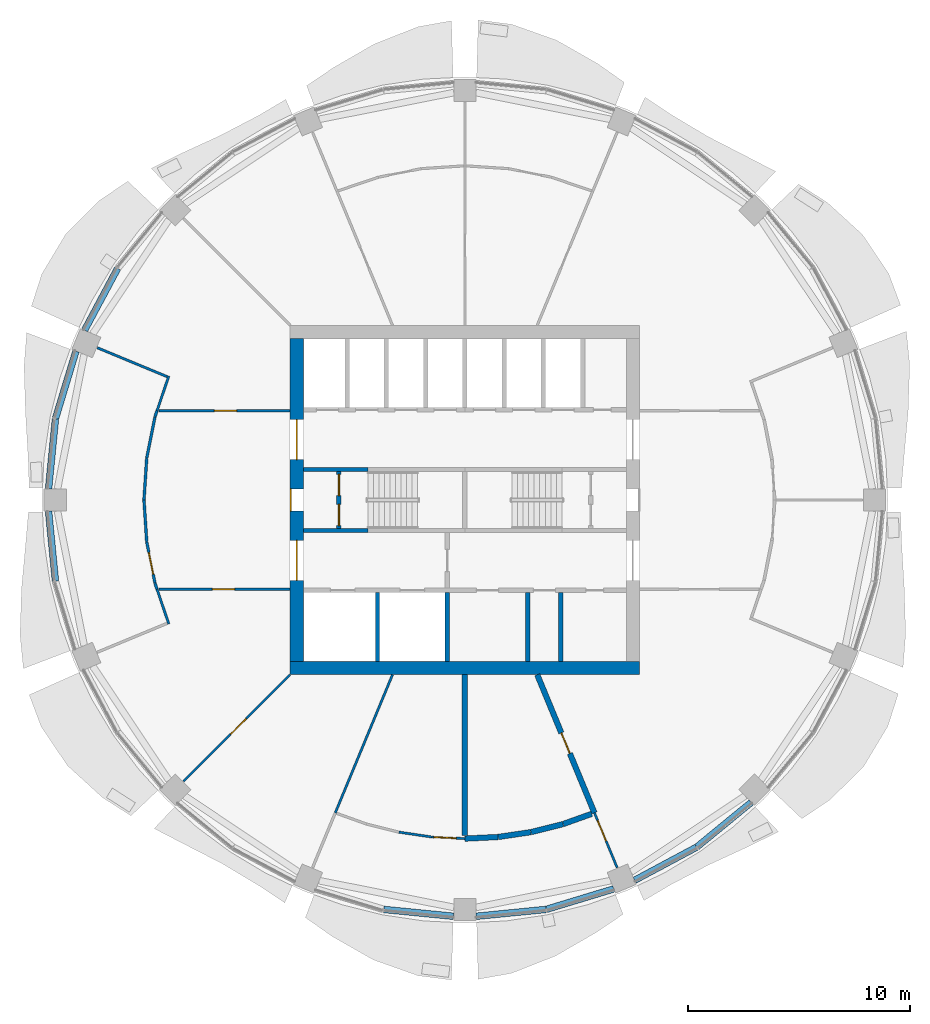
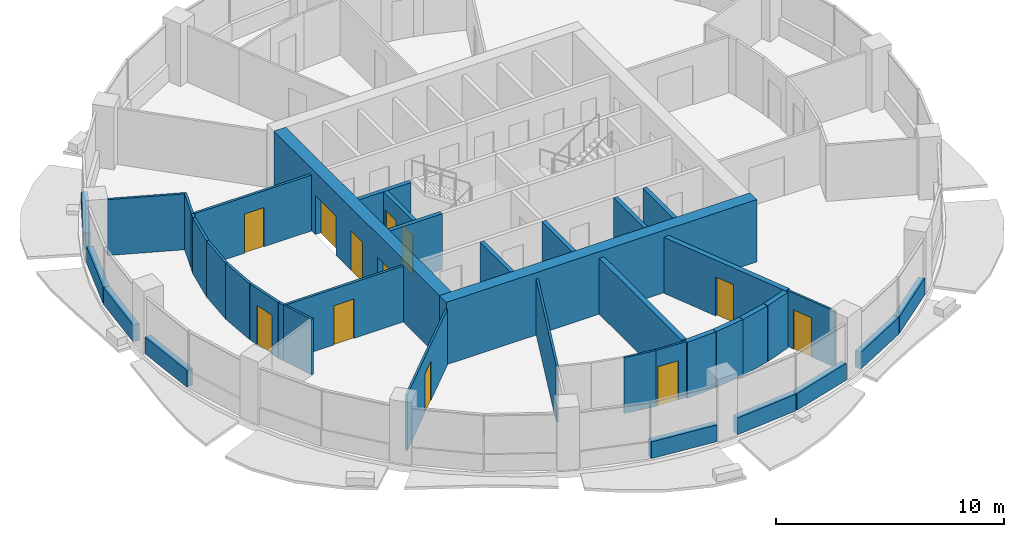
# One storey, part 8 of 15: 40 walls, 12 doors, 12 openings.
"""IFC4 building model written with IfcOpenShell, lengths in metres."""

from ifc_helpers import new_model, si_unit, direction, frame, frame_2d, origin, place, context, subcontext, project, spatial, rectangle, extrude, material, layer, layer_set, type_object, element, fill, save


model = new_model("IFC4")

# Units and contexts
model_context = context("Model", 3, precision=1e-05, world=origin(), true_north=direction((0.0, 1.0)))
body_context = subcontext(model_context, "Body", "Model", "MODEL_VIEW")
ifc_project = project(units=[si_unit("LENGTHUNIT", "METRE"), si_unit("AREAUNIT", "SQUARE_METRE"), si_unit("VOLUMEUNIT", "CUBIC_METRE"), si_unit("PLANEANGLEUNIT", "RADIAN"), si_unit("MASSUNIT", "GRAM", prefix="KILO")], contexts=[model_context])

# Site, building, storey
site_placement = place(None, origin())
site = spatial("IfcSite", under=ifc_project, at=site_placement, CompositionType="ELEMENT")
building_placement = place(site_placement, origin())
building = spatial("IfcBuilding", under=site, at=building_placement, Name="Polderwave Tower", CompositionType="ELEMENT")
storey_placement = place(building_placement, frame((0.0, 0.0, 120.949951171875)))
storey = spatial("IfcBuildingStorey", under=building, at=storey_placement, Name="L31", CompositionType="ELEMENT", Elevation=120.949951171875)

# Wall
ifc_material_1 = material(Name="Concrete C60/75", Category="concrete")
ifc_layer_1 = layer(ifc_material_1, 0.60009765625)
ifc_layer_set_1 = layer_set([ifc_layer_1], Name="CORE WALL 600 C60/75")
wall_type_1 = type_object("IfcWallType", Name="CORE WALL 600 C60/75", PredefinedType="SHEAR", material=ifc_layer_set_1)
wall_1_placement = place(storey_placement, frame((-7.8740234375, -7.573974609375, 0.0), z_axis=(0.0, 0.0, 1.0), x_axis=(1.0, 0.0, 0.0)))
element("IfcWall", 1, at=wall_1_placement, inside=storey, type_object=wall_type_1, Name="ST-CORE-L31-S", PredefinedType="SHEAR", context=body_context, shape_type="SweptSolid", body=[
    extrude(rectangle(XDim=15.748046875, YDim=0.60009765625, at=frame_2d((7.8740234375, 0.0))), origin(), (0.0, 0.0, 1.0), 3.35009765625),
])

# Wall, openings, doors
wall_2_placement = place(storey_placement, frame((-7.573974609375, -7.27392578125, 0.0), z_axis=(0.0, 0.0, 1.0), x_axis=(0.0, 1.0, 0.0)))
wall_2 = element("IfcWall", 2, at=wall_2_placement, inside=storey, type_object=wall_type_1, Name="ST-CORE-L31-W", PredefinedType="SHEAR", context=body_context, shape_type="SweptSolid", body=[
    extrude(rectangle(XDim=14.5478515625, YDim=0.60009765625, at=frame_2d((7.27392578125, 0.0))), origin(), (0.0, 0.0, 1.0), 3.35009765625),
])
opening_1_placement = place(wall_2_placement, frame((6.77392578125, 0.0, 0.0)))
opening_1 = element("IfcOpeningElement", 3, at=opening_1_placement, cuts=wall_2, Name="Opening L31-D19", PredefinedType="OPENING", context=body_context, shape_type="SweptSolid", body=[
    extrude(rectangle(XDim=1.0, YDim=2.10009765625, at=frame_2d((0.5, 1.050048828125))), frame((0.0, 0.31005859375, 0.0), z_axis=(0.0, -1.0, 0.0), x_axis=(1.0, 0.0, 0.0)), (0.0, 0.0, 1.0), 0.6201171875),
])
opening_2_placement = place(wall_2_placement, frame((3.6494140625, 0.0, 0.0)))
opening_2 = element("IfcOpeningElement", 4, at=opening_2_placement, cuts=wall_2, Name="Opening L31-D20", PredefinedType="OPENING", context=body_context, shape_type="SweptSolid", body=[
    extrude(rectangle(XDim=1.800048828125, YDim=2.10009765625, at=frame_2d((0.89990234375, 1.050048828125))), frame((0.0, 0.31005859375, 0.0), z_axis=(0.0, -1.0, 0.0), x_axis=(1.0, 0.0, 0.0)), (0.0, 0.0, 1.0), 0.6201171875),
])
opening_3_placement = place(wall_2_placement, frame((9.098388671875, 0.0, 0.0)))
opening_3 = element("IfcOpeningElement", 5, at=opening_3_placement, cuts=wall_2, Name="Opening L31-D21", PredefinedType="OPENING", context=body_context, shape_type="SweptSolid", body=[
    extrude(rectangle(XDim=1.800048828125, YDim=2.10009765625, at=frame_2d((0.89990234375, 1.050048828125))), frame((0.0, 0.31005859375, 0.0), z_axis=(0.0, -1.0, 0.0), x_axis=(1.0, 0.0, 0.0)), (0.0, 0.0, 1.0), 0.6201171875),
])
ifc_material_2 = material(Name="Steel fire door", Category="steel")
door_type_1 = type_object("IfcDoorType", Name="Lobby entry door pair 1800", OperationType="DOUBLE_DOOR_SINGLE_SWING", PredefinedType="DOOR", material=ifc_material_2)
door_1_placement = place(opening_2_placement, origin())
door_1 = element("IfcDoor", 6, at=door_1_placement, inside=storey, type_object=door_type_1, Name="Fire-fighting lobby entry door", OperationType="DOUBLE_DOOR_SINGLE_SWING", OverallHeight=2.10009765625, OverallWidth=1.800048828125, PredefinedType="DOOR", context=body_context, shape_type="SweptSolid", body=[
    extrude(rectangle(XDim=1.800048828125, YDim=2.10009765625, at=frame_2d((0.89990234375, 1.050048828125))), frame((0.0, 0.02490234375, 0.0), z_axis=(0.0, -1.0, 0.0), x_axis=(1.0, 0.0, 0.0)), (0.0, 0.0, 1.0), 0.050048828125),
])
fill(opening_2, door_1)
door_2_placement = place(opening_3_placement, origin())
door_2 = element("IfcDoor", 7, at=door_2_placement, inside=storey, type_object=door_type_1, Name="North lobby entry door", OperationType="DOUBLE_DOOR_SINGLE_SWING", OverallHeight=2.10009765625, OverallWidth=1.800048828125, PredefinedType="DOOR", context=body_context, shape_type="SweptSolid", body=[
    extrude(rectangle(XDim=1.800048828125, YDim=2.10009765625, at=frame_2d((0.89990234375, 1.050048828125))), frame((0.0, 0.02490234375, 0.0), z_axis=(0.0, -1.0, 0.0), x_axis=(1.0, 0.0, 0.0)), (0.0, 0.0, 1.0), 0.050048828125),
])
fill(opening_3, door_2)
door_type_2 = type_object("IfcDoorType", Name="Stair door 1000", OperationType="NOTDEFINED", PredefinedType="DOOR", material=ifc_material_2)
door_3_placement = place(opening_1_placement, origin())
door_3 = element("IfcDoor", 8, at=door_3_placement, inside=storey, type_object=door_type_2, Name="Stair A entry door", OperationType="SINGLE_SWING_RIGHT", OverallHeight=2.10009765625, OverallWidth=1.0, PredefinedType="DOOR", context=body_context, shape_type="SweptSolid", body=[
    extrude(rectangle(XDim=1.0, YDim=2.10009765625, at=frame_2d((0.5, 1.050048828125))), frame((0.0, 0.2998046875, 0.0), z_axis=(0.0, -1.0, 0.0), x_axis=(1.0, 0.0, 0.0)), (0.0, 0.0, 1.0), 0.050048828125),
])
fill(opening_1, door_3)

# Walls
ifc_material_3 = material(Name="Concrete C50/60 (board-marked)", Category="concrete")
ifc_layer_2 = layer(ifc_material_3, 0.300048828125)
ifc_layer_set_2 = layer_set([ifc_layer_2], Name="Concrete spandrel upstand C50/60")
wall_type_2 = type_object("IfcWallType", Name="Concrete spandrel upstand C50/60", PredefinedType="SOLIDWALL", material=ifc_layer_set_2)
wall_3_placement = place(storey_placement, frame((-15.647216796875, 10.436767578125, 0.0), z_axis=(0.0, 0.0, 1.0), x_axis=(-0.471527722113, -0.881851238747, 0.0)))
element("IfcWall", 9, at=wall_3_placement, inside=storey, type_object=wall_type_2, Name="Spandrel L31 7b", PredefinedType="SOLIDWALL", context=body_context, shape_type="SweptSolid", body=[
    extrude(rectangle(XDim=3.1552734375, YDim=0.300048828125, at=frame_2d((1.57763671875, 0.0))), origin(), (0.0, 0.0, 1.0), 0.900146484375),
])
wall_4_placement = place(storey_placement, frame((-17.52734375, 6.70458984375, 0.0), z_axis=(0.0, 0.0, 1.0), x_axis=(-0.290503096001, -0.956874051907, 0.0)))
element("IfcWall", 10, at=wall_4_placement, inside=storey, type_object=wall_type_2, Name="Spandrel L31 8a", PredefinedType="SOLIDWALL", context=body_context, shape_type="SweptSolid", body=[
    extrude(rectangle(XDim=3.157470703125, YDim=0.300048828125, at=frame_2d((1.57861328125, 0.0))), origin(), (0.0, 0.0, 1.0), 0.900146484375),
])
for number, where, z_axis, x_axis, name in (
    (11, (-18.450439453125, 3.654052734375, 0.0), (0.0, 0.0, 1.0), (-0.097956108817, -0.995190735862, 0.0), "Spandrel L31 8b"),
    (12, (-18.759521484375, -0.513916015625, 0.0), (0.0, 0.0, 1.0), (0.097956108817, -0.995190735862, 0.0), "Spandrel L31 9a"),
    (13, (-3.654052734375, -18.450439453125, 0.0), (0.0, 0.0, 1.0), (0.995190735862, -0.097956108817, 0.0), "Spandrel L31 12b"),
    (14, (0.513916015625, -18.759521484375, 0.0), (0.0, 0.0, 1.0), (0.995190735862, 0.097956108817, 0.0), "Spandrel L31 13a"),
):
    element("IfcWall", number, at=place(storey_placement, frame(where, z_axis=z_axis, x_axis=x_axis)), inside=storey, type_object=wall_type_2, Name=name, PredefinedType="SOLIDWALL", context=body_context, shape_type="SweptSolid", body=[
        extrude(rectangle(XDim=3.1552734375, YDim=0.300048828125, at=frame_2d((1.57763671875, 0.0))), origin(), (0.0, 0.0, 1.0), 0.900146484375),
    ])
wall_5_placement = place(storey_placement, frame((3.683349609375, -18.444580078125, 0.0), z_axis=(0.0, 0.0, 1.0), x_axis=(0.956874051907, 0.290503096001, 0.0)))
element("IfcWall", 15, at=wall_5_placement, inside=storey, type_object=wall_type_2, Name="Spandrel L31 13b", PredefinedType="SOLIDWALL", context=body_context, shape_type="SweptSolid", body=[
    extrude(rectangle(XDim=3.157470703125, YDim=0.300048828125, at=frame_2d((1.57861328125, 0.0))), origin(), (0.0, 0.0, 1.0), 0.900146484375),
])
wall_6_placement = place(storey_placement, frame((7.654296875, -17.135009765625, 0.0), z_axis=(0.0, 0.0, 1.0), x_axis=(0.881851238747, 0.471527722113, 0.0)))
element("IfcWall", 16, at=wall_6_placement, inside=storey, type_object=wall_type_2, Name="Spandrel L31 14a", PredefinedType="SOLIDWALL", context=body_context, shape_type="SweptSolid", body=[
    extrude(rectangle(XDim=3.1552734375, YDim=0.300048828125, at=frame_2d((1.57763671875, 0.0))), origin(), (0.0, 0.0, 1.0), 0.900146484375),
])
wall_7_placement = place(storey_placement, frame((10.461669921875, -15.630615234375, 0.0), z_axis=(0.0, 0.0, 1.0), x_axis=(0.773136573193, 0.634239575548, 0.0)))
element("IfcWall", 17, at=wall_7_placement, inside=storey, type_object=wall_type_2, Name="Spandrel L31 14b", PredefinedType="SOLIDWALL", context=body_context, shape_type="SweptSolid", body=[
    extrude(rectangle(XDim=3.15673828125, YDim=0.300048828125, at=frame_2d((1.578369140625, 0.0))), origin(), (0.0, 0.0, 1.0), 0.900146484375),
])
ifc_material_4 = material(Name="Gypsum board partition")
ifc_layer_3 = layer(ifc_material_4, 0.199951171875)
ifc_layer_set_3 = layer_set([ifc_layer_3], Name="Core room partition 200")
wall_type_3 = type_object("IfcWallType", Name="Core room partition 200", PredefinedType="PARTITIONING", material=ifc_layer_set_3)
for number, where, z_axis, x_axis, name in (
    (18, (2.8427734375, -7.27392578125, 0.0), (0.0, 0.0, 1.0), (0.0, 1.0, 0.0), "L31 room partition S1"),
    (19, (4.321533203125, -7.27392578125, 0.0), (0.0, 0.0, 1.0), (0.0, 1.0, 0.0), "L31 room partition S2"),
):
    element("IfcWall", number, at=place(storey_placement, frame(where, z_axis=z_axis, x_axis=x_axis)), inside=storey, type_object=wall_type_3, Name=name, PredefinedType="PARTITIONING", context=body_context, shape_type="SweptSolid", body=[
        extrude(rectangle(XDim=3.099853515625, YDim=0.199951171875, at=frame_2d((1.5498046875, 0.0))), origin(), (0.0, 0.0, 1.0), 3.0),
    ])

# Wall, openings, doors
wall_8_placement = place(storey_placement, frame((-5.674072265625, -1.27490234375, 0.0), z_axis=(0.0, 0.0, 1.0), x_axis=(0.0, 1.0, 0.0)))
wall_8 = element("IfcWall", 20, at=wall_8_placement, inside=storey, type_object=wall_type_3, Name="L31 smoke lobby wall A", PredefinedType="PARTITIONING", context=body_context, shape_type="SweptSolid", body=[
    extrude(rectangle(XDim=2.5498046875, YDim=0.199951171875, at=frame_2d((1.27490234375, 0.0))), origin(), (0.0, 0.0, 1.0), 3.0),
])
opening_4_placement = place(wall_8_placement, frame((0.125, 0.0, 0.0)))
opening_4 = element("IfcOpeningElement", 21, at=opening_4_placement, cuts=wall_8, Name="Opening L31-D10", PredefinedType="OPENING", context=body_context, shape_type="SweptSolid", body=[
    extrude(rectangle(XDim=0.949951171875, YDim=2.10009765625, at=frame_2d((0.47509765625, 1.050048828125))), frame((0.0, 0.10986328125, 0.0), z_axis=(0.0, -1.0, 0.0), x_axis=(1.0, 0.0, 0.0)), (0.0, 0.0, 1.0), 0.219970703125),
])
opening_5_placement = place(wall_8_placement, frame((1.47509765625, 0.0, 0.0)))
opening_5 = element("IfcOpeningElement", 22, at=opening_5_placement, cuts=wall_8, Name="Opening L31-D11", PredefinedType="OPENING", context=body_context, shape_type="SweptSolid", body=[
    extrude(rectangle(XDim=0.949951171875, YDim=2.10009765625, at=frame_2d((0.47509765625, 1.050048828125))), frame((0.0, 0.10986328125, 0.0), z_axis=(0.0, -1.0, 0.0), x_axis=(1.0, 0.0, 0.0)), (0.0, 0.0, 1.0), 0.219970703125),
])
door_type_3 = type_object("IfcDoorType", Name="Smoke lobby door 950", OperationType="NOTDEFINED", PredefinedType="DOOR", material=ifc_material_2)
door_4_placement = place(opening_4_placement, origin())
door_4 = element("IfcDoor", 23, at=door_4_placement, inside=storey, type_object=door_type_3, Name="Stair A smoke lobby inner door", OperationType="SINGLE_SWING_LEFT", OverallHeight=2.10009765625, OverallWidth=0.949951171875, PredefinedType="DOOR", context=body_context, shape_type="SweptSolid", body=[
    extrude(rectangle(XDim=0.949951171875, YDim=2.10009765625, at=frame_2d((0.47509765625, 1.050048828125))), frame((0.0, 0.02490234375, 0.0), z_axis=(0.0, -1.0, 0.0), x_axis=(1.0, 0.0, 0.0)), (0.0, 0.0, 1.0), 0.050048828125),
])
fill(opening_4, door_4)
door_5_placement = place(opening_5_placement, origin())
door_5 = element("IfcDoor", 24, at=door_5_placement, inside=storey, type_object=door_type_3, Name="Stair A smoke lobby inner door", OperationType="SINGLE_SWING_RIGHT", OverallHeight=2.10009765625, OverallWidth=0.949951171875, PredefinedType="DOOR", context=body_context, shape_type="SweptSolid", body=[
    extrude(rectangle(XDim=0.949951171875, YDim=2.10009765625, at=frame_2d((0.47509765625, 1.050048828125))), frame((0.0, 0.02490234375, 0.0), z_axis=(0.0, -1.0, 0.0), x_axis=(1.0, 0.0, 0.0)), (0.0, 0.0, 1.0), 0.050048828125),
])
fill(opening_5, door_5)

# Walls
ifc_material_5 = material(Name="Concrete C50/60", Category="concrete")
ifc_layer_4 = layer(ifc_material_5, 0.199951171875)
ifc_layer_set_4 = layer_set([ifc_layer_4], Name="Core web wall 200")
wall_type_4 = type_object("IfcWallType", Name="Core web wall 200", PredefinedType="SHEAR", material=ifc_layer_set_4)
for number, where, z_axis, x_axis, name in (
    (25, (-7.27392578125, -1.375, 0.0), (0.0, 0.0, 1.0), (1.0, 0.0, 0.0), "L31 south stair wall 1"),
    (26, (-7.27392578125, 1.375, 0.0), (0.0, 0.0, 1.0), (1.0, 0.0, 0.0), "L31 north stair wall 1"),
):
    element("IfcWall", number, at=place(storey_placement, frame(where, z_axis=z_axis, x_axis=x_axis)), inside=storey, type_object=wall_type_4, Name=name, PredefinedType="SHEAR", context=body_context, shape_type="SweptSolid", body=[
        extrude(rectangle(XDim=2.89990234375, YDim=0.199951171875, at=frame_2d((1.449951171875, 0.0))), origin(), (0.0, 0.0, 1.0), 3.0),
    ])

# Wall, opening, door
ifc_material_6 = material(Name="Fire-resisting board on steel studs", Category="steel")
ifc_layer_5 = layer(ifc_material_6, 0.125)
ifc_layer_set_5 = layer_set([ifc_layer_5], Name="Corridor wall 125 mm EI 60")
wall_type_5 = type_object("IfcWallType", Name="Corridor wall 125 mm EI 60", PredefinedType="PARTITIONING", material=ifc_layer_set_5)
wall_9_placement = place(storey_placement, frame((-13.784423828125, 4.0244140625, 0.0), z_axis=(0.0, 0.0, 1.0), x_axis=(1.0, 0.0, 0.0)))
wall_9 = element("IfcWall", 27, at=wall_9_placement, inside=storey, type_object=wall_type_5, Name="IN-L31-W009", PredefinedType="PARTITIONING", context=body_context, shape_type="SweptSolid", body=[
    extrude(rectangle(XDim=5.910400390625, YDim=0.125, at=frame_2d((2.955078125, 0.0))), origin(), (0.0, 0.0, 1.0), 3.0),
])
opening_6_placement = place(wall_9_placement, frame((2.5, 0.0, 0.0)))
opening_6 = element("IfcOpeningElement", 28, at=opening_6_placement, cuts=wall_9, Name="Opening L31-D54", PredefinedType="OPENING", context=body_context, shape_type="SweptSolid", body=[
    extrude(rectangle(XDim=1.0, YDim=2.10009765625, at=frame_2d((0.5, 1.050048828125))), frame((0.0, 0.072509765625, 0.0), z_axis=(0.0, -1.0, 0.0), x_axis=(1.0, 0.0, 0.0)), (0.0, 0.0, 1.0), 0.14501953125),
])
ifc_material_7 = material(Name="Timber fire door leaf", Category="wood")
door_type_4 = type_object("IfcDoorType", Name="Fire door FD30S 1000 x 2100", OperationType="NOTDEFINED", PredefinedType="DOOR", material=ifc_material_7)
door_6_placement = place(opening_6_placement, origin())
door_6 = element("IfcDoor", 29, at=door_6_placement, inside=storey, type_object=door_type_4, Name="Door L31-D54", OperationType="SINGLE_SWING_RIGHT", OverallHeight=2.10009765625, OverallWidth=1.0, PredefinedType="DOOR", context=body_context, shape_type="SweptSolid", body=[
    extrude(rectangle(XDim=1.0, YDim=2.10009765625, at=frame_2d((0.5, 1.050048828125))), frame((0.0, 0.02490234375, 0.0), z_axis=(0.0, -1.0, 0.0), x_axis=(1.0, 0.0, 0.0)), (0.0, 0.0, 1.0), 0.050048828125),
])
fill(opening_6, door_6)

# Walls
for number, where, z_axis, x_axis, name in (
    (30, (-14.459716796875, 0.004150390625, 0.0), (0.0, 0.0, 1.0), (0.065340129587, 0.997863050456, 0.0), "IN-L31-W010"),
    (31, (-14.336669921875, -1.88330078125, 0.0), (0.0, 0.0, 1.0), (-0.065340129587, 0.997863050456, 0.0), "IN-L31-W011"),
):
    element("IfcWall", number, at=place(storey_placement, frame(where, z_axis=z_axis, x_axis=x_axis)), inside=storey, type_object=wall_type_5, Name=name, PredefinedType="PARTITIONING", context=body_context, shape_type="SweptSolid", body=[
        extrude(rectangle(XDim=1.883056640625, YDim=0.125, at=frame_2d((0.94140625, 0.0))), origin(), (0.0, 0.0, 1.0), 3.0),
    ])
wall_10_placement = place(storey_placement, frame((-14.33544921875, 1.891357421875, 0.0), z_axis=(0.0, 0.0, 1.0), x_axis=(0.195093941763, 0.980784560384, 0.0)))
element("IfcWall", 32, at=wall_10_placement, inside=storey, type_object=wall_type_5, Name="IN-L31-W012", PredefinedType="PARTITIONING", context=body_context, shape_type="SweptSolid", body=[
    extrude(rectangle(XDim=1.88330078125, YDim=0.125, at=frame_2d((0.941650390625, 0.0))), origin(), (0.0, 0.0, 1.0), 3.0),
])

# Wall, opening, door
wall_11_placement = place(storey_placement, frame((-13.968017578125, -3.738525390625, 0.0), z_axis=(0.0, 0.0, 1.0), x_axis=(-0.195093941763, 0.980784560384, 0.0)))
wall_11 = element("IfcWall", 33, at=wall_11_placement, inside=storey, type_object=wall_type_5, Name="IN-L31-W013", PredefinedType="PARTITIONING", context=body_context, shape_type="SweptSolid", body=[
    extrude(rectangle(XDim=1.88330078125, YDim=0.125, at=frame_2d((0.941650390625, 0.0))), origin(), (0.0, 0.0, 1.0), 3.0),
])
opening_7_placement = place(wall_11_placement, frame((0.39990234375, 0.0, 0.0)))
opening_7 = element("IfcOpeningElement", 34, at=opening_7_placement, cuts=wall_11, Name="Opening L31-D55", PredefinedType="OPENING", context=body_context, shape_type="SweptSolid", body=[
    extrude(rectangle(XDim=1.0, YDim=2.10009765625, at=frame_2d((0.5, 1.050048828125))), frame((0.0, 0.072509765625, 0.0), z_axis=(0.0, -1.0, 0.0), x_axis=(1.0, 0.0, 0.0)), (0.0, 0.0, 1.0), 0.14501953125),
])
door_7_placement = place(opening_7_placement, origin())
door_7 = element("IfcDoor", 35, at=door_7_placement, inside=storey, type_object=door_type_4, Name="Door L31-D55", OperationType="SINGLE_SWING_LEFT", OverallHeight=2.10009765625, OverallWidth=1.0, PredefinedType="DOOR", context=body_context, shape_type="SweptSolid", body=[
    extrude(rectangle(XDim=1.0, YDim=2.10009765625, at=frame_2d((0.5, 1.050048828125))), frame((0.0, 0.02490234375, 0.0), z_axis=(0.0, -1.0, 0.0), x_axis=(1.0, 0.0, 0.0)), (0.0, 0.0, 1.0), 0.050048828125),
])
fill(opening_7, door_7)

# Walls
for number, where, z_axis, x_axis, name in (
    (36, (-13.966064453125, 3.746337890625, 0.0), (0.0, 0.0, 1.0), (0.321708987491, 0.94683859626, 0.0), "IN-L31-W014"),
    (37, (-13.87158203125, -4.0244140625, 0.0), (0.0, 0.0, 1.0), (-0.321708987491, 0.94683859626, 0.0), "IN-L31-W015"),
):
    element("IfcWall", number, at=place(storey_placement, frame(where, z_axis=z_axis, x_axis=x_axis)), inside=storey, type_object=wall_type_5, Name=name, PredefinedType="PARTITIONING", context=body_context, shape_type="SweptSolid", body=[
        extrude(rectangle(XDim=0.293701171875, YDim=0.125, at=frame_2d((0.14697265625, 0.0))), origin(), (0.0, 0.0, 1.0), 3.0),
    ])

# Wall, opening, door
wall_12_placement = place(storey_placement, frame((-7.8740234375, -4.0244140625, 0.0), z_axis=(0.0, 0.0, 1.0), x_axis=(-1.0, 0.0, 0.0)))
wall_12 = element("IfcWall", 38, at=wall_12_placement, inside=storey, type_object=wall_type_5, Name="IN-L31-W016", PredefinedType="PARTITIONING", context=body_context, shape_type="SweptSolid", body=[
    extrude(rectangle(XDim=5.910400390625, YDim=0.125, at=frame_2d((2.955078125, 0.0))), origin(), (0.0, 0.0, 1.0), 3.0),
])
opening_8_placement = place(wall_12_placement, frame((2.5, 0.0, 0.0)))
opening_8 = element("IfcOpeningElement", 39, at=opening_8_placement, cuts=wall_12, Name="Opening L31-D56", PredefinedType="OPENING", context=body_context, shape_type="SweptSolid", body=[
    extrude(rectangle(XDim=1.0, YDim=2.10009765625, at=frame_2d((0.5, 1.050048828125))), frame((0.0, 0.072509765625, 0.0), z_axis=(0.0, -1.0, 0.0), x_axis=(1.0, 0.0, 0.0)), (0.0, 0.0, 1.0), 0.14501953125),
])
door_8_placement = place(opening_8_placement, origin())
door_8 = element("IfcDoor", 40, at=door_8_placement, inside=storey, type_object=door_type_4, Name="Door L31-D56", OperationType="SINGLE_SWING_RIGHT", OverallHeight=2.10009765625, OverallWidth=1.0, PredefinedType="DOOR", context=body_context, shape_type="SweptSolid", body=[
    extrude(rectangle(XDim=1.0, YDim=2.10009765625, at=frame_2d((0.5, 1.050048828125))), frame((0.0, 0.02490234375, 0.0), z_axis=(0.0, -1.0, 0.0), x_axis=(1.0, 0.0, 0.0)), (0.0, 0.0, 1.0), 0.050048828125),
])
fill(opening_8, door_8)

ifc_material_8 = material(Name="Plasterboard on steel studs", Category="steel")
ifc_layer_6 = layer(ifc_material_8, 0.10009765625)
ifc_layer_set_6 = layer_set([ifc_layer_6], Name="Partition 100 mm plasterboard on steel studs")
wall_type_6 = type_object("IfcWallType", Name="Partition 100 mm plasterboard on steel studs", PredefinedType="PARTITIONING", material=ifc_layer_set_6)
wall_13_placement = place(storey_placement, frame((-7.8740234375, -7.8740234375, 0.0), z_axis=(0.0, 0.0, 1.0), x_axis=(-0.707106781187, -0.707106781187, 0.0)))
wall_13 = element("IfcWall", 41, at=wall_13_placement, inside=storey, type_object=wall_type_6, Name="IN-L31-W037", PredefinedType="PARTITIONING", context=body_context, shape_type="SweptSolid", body=[
    extrude(rectangle(XDim=6.79443359375, YDim=0.10009765625, at=frame_2d((3.397216796875, 0.0))), origin(), (0.0, 0.0, 1.0), 3.0),
])
opening_9_placement = place(wall_13_placement, frame((2.800048828125, 0.0, 0.0)))
opening_9 = element("IfcOpeningElement", 42, at=opening_9_placement, cuts=wall_13, Name="Opening L31-D62", PredefinedType="OPENING", context=body_context, shape_type="SweptSolid", body=[
    extrude(rectangle(XDim=1.0, YDim=2.10009765625, at=frame_2d((0.5, 1.050048828125))), frame((0.0, 0.06005859375, 0.0), z_axis=(0.0, -1.0, 0.0), x_axis=(1.0, 0.0, 0.0)), (0.0, 0.0, 1.0), 0.1201171875),
])
ifc_material_9 = material(Name="Timber veneer door leaf", Category="wood")
door_type_5 = type_object("IfcDoorType", Name="Single door 1000 x 2100", OperationType="NOTDEFINED", PredefinedType="DOOR", material=ifc_material_9)
door_9_placement = place(opening_9_placement, origin())
door_9 = element("IfcDoor", 43, at=door_9_placement, inside=storey, type_object=door_type_5, Name="Door L31-D62", OperationType="SINGLE_SWING_LEFT", OverallHeight=2.10009765625, OverallWidth=1.0, PredefinedType="DOOR", context=body_context, shape_type="SweptSolid", body=[
    extrude(rectangle(XDim=1.0, YDim=2.10009765625, at=frame_2d((0.5, 1.050048828125))), frame((0.0, 0.02490234375, 0.0), z_axis=(0.0, -1.0, 0.0), x_axis=(1.0, 0.0, 0.0)), (0.0, 0.0, 1.0), 0.050048828125),
])
fill(opening_9, door_9)

wall_14_placement = place(storey_placement, frame((6.861572265625, -16.565185546875, 0.0), z_axis=(0.0, 0.0, 1.0), x_axis=(-0.382744787218, 0.923854116112, 0.0)))
wall_14 = element("IfcWall", 44, at=wall_14_placement, inside=storey, type_object=wall_type_6, Name="IN-L31-W049", PredefinedType="PARTITIONING", context=body_context, shape_type="SweptSolid", body=[
    extrude(rectangle(XDim=2.670166015625, YDim=0.10009765625, at=frame_2d((1.3349609375, 0.0))), origin(), (0.0, 0.0, 1.0), 3.0),
])
opening_10_placement = place(wall_14_placement, frame((1.300048828125, 0.0, 0.0)))
opening_10 = element("IfcOpeningElement", 45, at=opening_10_placement, cuts=wall_14, Name="Opening L31-D64", PredefinedType="OPENING", context=body_context, shape_type="SweptSolid", body=[
    extrude(rectangle(XDim=1.0, YDim=2.10009765625, at=frame_2d((0.5, 1.050048828125))), frame((0.0, 0.06005859375, 0.0), z_axis=(0.0, -1.0, 0.0), x_axis=(1.0, 0.0, 0.0)), (0.0, 0.0, 1.0), 0.1201171875),
])
door_10_placement = place(opening_10_placement, origin())
door_10 = element("IfcDoor", 46, at=door_10_placement, inside=storey, type_object=door_type_5, Name="Door L31-D64", OperationType="SINGLE_SWING_RIGHT", OverallHeight=2.10009765625, OverallWidth=1.0, PredefinedType="DOOR", context=body_context, shape_type="SweptSolid", body=[
    extrude(rectangle(XDim=1.0, YDim=2.10009765625, at=frame_2d((0.5, 1.050048828125))), frame((0.0, 0.02490234375, 0.0), z_axis=(0.0, -1.0, 0.0), x_axis=(1.0, 0.0, 0.0)), (0.0, 0.0, 1.0), 0.050048828125),
])
fill(opening_10, door_10)

# Walls
ifc_material_10 = material(Name="Moisture-resistant board on steel studs, tiled", Category="steel")
ifc_layer_7 = layer(ifc_material_10, 0.10498046875)
ifc_layer_set_7 = layer_set([ifc_layer_7], Name="Partition 105 mm wet room board and tile")
wall_type_7 = type_object("IfcWallType", Name="Partition 105 mm wet room board and tile", PredefinedType="PARTITIONING", material=ifc_layer_set_7)
wall_15_placement = place(storey_placement, frame((-3.261474609375, -7.8740234375, 0.0), z_axis=(0.0, 0.0, 1.0), x_axis=(-0.382671840259, -0.923884334034, 0.0)))
element("IfcWall", 47, at=wall_15_placement, inside=storey, type_object=wall_type_7, Name="IN-L31-W038", PredefinedType="PARTITIONING", context=body_context, shape_type="SweptSolid", body=[
    extrude(rectangle(XDim=6.737060546875, YDim=0.10498046875, at=frame_2d((3.36865234375, 0.0))), origin(), (0.0, 0.0, 1.0), 3.0),
])
wall_16_placement = place(storey_placement, frame((-1.498291015625, -15.18603515625, 0.0), z_axis=(0.0, 0.0, 1.0), x_axis=(-0.98919994883, 0.146572375418, 0.0)))
element("IfcWall", 48, at=wall_16_placement, inside=storey, type_object=wall_type_7, Name="IN-L31-W042", PredefinedType="PARTITIONING", context=body_context, shape_type="SweptSolid", body=[
    extrude(rectangle(XDim=1.492431640625, YDim=0.10498046875, at=frame_2d((0.74609375, 0.0))), origin(), (0.0, 0.0, 1.0), 3.0),
])

# Wall, opening, door
wall_17_placement = place(storey_placement, frame((-1.4931640625, -15.1865234375, 0.0), z_axis=(0.0, 0.0, 1.0), x_axis=(0.99879112895, -0.049155678518, 0.0)))
wall_17 = element("IfcWall", 49, at=wall_17_placement, inside=storey, type_object=wall_type_7, Name="IN-L31-W043", PredefinedType="PARTITIONING", context=body_context, shape_type="SweptSolid", body=[
    extrude(rectangle(XDim=1.494873046875, YDim=0.10498046875, at=frame_2d((0.74755859375, 0.0))), origin(), (0.0, 0.0, 1.0), 3.0),
])
opening_11_placement = place(wall_17_placement, frame((0.10009765625, 0.0, 0.0)))
opening_11 = element("IfcOpeningElement", 50, at=opening_11_placement, cuts=wall_17, Name="Opening L31-D63", PredefinedType="OPENING", context=body_context, shape_type="SweptSolid", body=[
    extrude(rectangle(XDim=1.0, YDim=2.10009765625, at=frame_2d((0.5, 1.050048828125))), frame((0.0, 0.0625, 0.0), z_axis=(0.0, -1.0, 0.0), x_axis=(1.0, 0.0, 0.0)), (0.0, 0.0, 1.0), 0.125),
])
door_11_placement = place(opening_11_placement, origin())
door_11 = element("IfcDoor", 51, at=door_11_placement, inside=storey, type_object=door_type_5, Name="Door L31-D63", OperationType="SINGLE_SWING_LEFT", OverallHeight=2.10009765625, OverallWidth=1.0, PredefinedType="DOOR", context=body_context, shape_type="SweptSolid", body=[
    extrude(rectangle(XDim=1.0, YDim=2.10009765625, at=frame_2d((0.5, 1.050048828125))), frame((0.0, 0.02490234375, 0.0), z_axis=(0.0, -1.0, 0.0), x_axis=(1.0, 0.0, 0.0)), (0.0, 0.0, 1.0), 0.050048828125),
])
fill(opening_11, door_11)

# Walls
ifc_material_11 = material(Name="Acoustic double plasterboard on steel studs", Category="steel")
ifc_layer_8 = layer(ifc_material_11, 0.110107421875)
ifc_layer_set_8 = layer_set([ifc_layer_8], Name="Partition 110 mm acoustic double board")
wall_type_8 = type_object("IfcWallType", Name="Partition 110 mm acoustic double board", PredefinedType="PARTITIONING", material=ifc_layer_set_8)
wall_18_placement = place(storey_placement, frame((-13.87158203125, 4.0244140625, 0.0), z_axis=(0.0, 0.0, 1.0), x_axis=(0.321464693968, 0.946921565143, 0.0)))
element("IfcWall", 52, at=wall_18_placement, inside=storey, type_object=wall_type_8, Name="IN-L31-W033", PredefinedType="PARTITIONING", context=body_context, shape_type="SweptSolid", body=[
    extrude(rectangle(XDim=1.648681640625, YDim=0.110107421875, at=frame_2d((0.82421875, 0.0))), origin(), (0.0, 0.0, 1.0), 3.0),
])
wall_19_placement = place(storey_placement, frame((-13.41357421875, 5.55615234375, 0.0), z_axis=(0.0, 0.0, 1.0), x_axis=(-0.923881629558, 0.382678369606, 0.0)))
element("IfcWall", 53, at=wall_19_placement, inside=storey, type_object=wall_type_8, Name="IN-L31-W034", PredefinedType="PARTITIONING", context=body_context, shape_type="SweptSolid", body=[
    extrude(rectangle(XDim=3.411376953125, YDim=0.110107421875, at=frame_2d((1.70556640625, 0.0))), origin(), (0.0, 0.0, 1.0), 3.0),
])
wall_20_placement = place(storey_placement, frame((-13.87158203125, -4.0244140625, 0.0), z_axis=(0.0, 0.0, 1.0), x_axis=(0.321464693968, -0.946921565143, 0.0)))
element("IfcWall", 54, at=wall_20_placement, inside=storey, type_object=wall_type_8, Name="IN-L31-W035", PredefinedType="PARTITIONING", context=body_context, shape_type="SweptSolid", body=[
    extrude(rectangle(XDim=1.648681640625, YDim=0.110107421875, at=frame_2d((0.82421875, 0.0))), origin(), (0.0, 0.0, 1.0), 3.0),
])
ifc_material_12 = material(Name="Fire-resisting board on steel studs, mineral wool", Category="steel")
ifc_layer_9 = layer(ifc_material_12, 0.25)
ifc_layer_set_9 = layer_set([ifc_layer_9], Name="Plant room wall 250 mm EI 120")
wall_type_9 = type_object("IfcWallType", Name="Plant room wall 250 mm EI 120", PredefinedType="PARTITIONING", material=ifc_layer_set_9)
wall_21_placement = place(storey_placement, frame((0.0, -7.8740234375, 0.0), z_axis=(0.0, 0.0, 1.0), x_axis=(0.0, -1.0, 0.0)))
element("IfcWall", 55, at=wall_21_placement, inside=storey, type_object=wall_type_9, Name="IN-L31-W044", PredefinedType="PARTITIONING", context=body_context, shape_type="SweptSolid", body=[
    extrude(rectangle(XDim=7.254638671875, YDim=0.25, at=frame_2d((3.62744140625, 0.0))), origin(), (0.0, 0.0, 1.0), 3.0),
])
wall_22_placement = place(storey_placement, frame((0.0, -15.260009765625, 0.0), z_axis=(0.0, 0.0, 1.0), x_axis=(0.99879323204, 0.049112927325, 0.0)))
element("IfcWall", 56, at=wall_22_placement, inside=storey, type_object=wall_type_9, Name="IN-L31-W045", PredefinedType="PARTITIONING", context=body_context, shape_type="SweptSolid", body=[
    extrude(rectangle(XDim=1.4912109375, YDim=0.25, at=frame_2d((0.74560546875, 0.0))), origin(), (0.0, 0.0, 1.0), 3.0),
])
wall_23_placement = place(storey_placement, frame((1.501708984375, -15.185546875, 0.0), z_axis=(0.0, 0.0, 1.0), x_axis=(0.989192869337, 0.146620146136, 0.0)))
element("IfcWall", 57, at=wall_23_placement, inside=storey, type_object=wall_type_9, Name="IN-L31-W046", PredefinedType="PARTITIONING", context=body_context, shape_type="SweptSolid", body=[
    extrude(rectangle(XDim=1.4853515625, YDim=0.25, at=frame_2d((0.74267578125, 0.0))), origin(), (0.0, 0.0, 1.0), 3.0),
])
wall_24_placement = place(storey_placement, frame((2.983154296875, -14.96533203125, 0.0), z_axis=(0.0, 0.0, 1.0), x_axis=(0.970026334084, 0.24299981725, 0.0)))
element("IfcWall", 58, at=wall_24_placement, inside=storey, type_object=wall_type_9, Name="IN-L31-W047", PredefinedType="PARTITIONING", context=body_context, shape_type="SweptSolid", body=[
    extrude(rectangle(XDim=1.48486328125, YDim=0.25, at=frame_2d((0.742431640625, 0.0))), origin(), (0.0, 0.0, 1.0), 3.0),
])
wall_25_placement = place(storey_placement, frame((4.435546875, -14.600830078125, 0.0), z_axis=(0.0, 0.0, 1.0), x_axis=(0.941526469986, 0.336939024626, 0.0)))
element("IfcWall", 59, at=wall_25_placement, inside=storey, type_object=wall_type_9, Name="IN-L31-W048", PredefinedType="PARTITIONING", context=body_context, shape_type="SweptSolid", body=[
    extrude(rectangle(XDim=1.360107421875, YDim=0.25, at=frame_2d((0.68017578125, 0.0))), origin(), (0.0, 0.0, 1.0), 3.0),
])

# Wall, opening, door
wall_26_placement = place(storey_placement, frame((5.839599609375, -14.098388671875, 0.0), z_axis=(0.0, 0.0, 1.0), x_axis=(-0.382671840259, 0.923884334034, 0.0)))
wall_26 = element("IfcWall", 60, at=wall_26_placement, inside=storey, type_object=wall_type_9, Name="IN-L31-W050", PredefinedType="PARTITIONING", context=body_context, shape_type="SweptSolid", body=[
    extrude(rectangle(XDim=6.737060546875, YDim=0.25, at=frame_2d((3.36865234375, 0.0))), origin(), (0.0, 0.0, 1.0), 3.0),
])
opening_12_placement = place(wall_26_placement, frame((2.89990234375, 0.0, 0.0)))
opening_12 = element("IfcOpeningElement", 61, at=opening_12_placement, cuts=wall_26, Name="Opening L31-D65", PredefinedType="OPENING", context=body_context, shape_type="SweptSolid", body=[
    extrude(rectangle(XDim=1.0, YDim=2.10009765625, at=frame_2d((0.5, 1.050048828125))), frame((0.0, 0.135009765625, 0.0), z_axis=(0.0, -1.0, 0.0), x_axis=(1.0, 0.0, 0.0)), (0.0, 0.0, 1.0), 0.27001953125),
])
ifc_material_13 = material(Name="Steel plant door leaf", Category="steel")
door_type_6 = type_object("IfcDoorType", Name="Plant door FD60 1000 x 2100 steel", OperationType="NOTDEFINED", PredefinedType="DOOR", material=ifc_material_13)
door_12_placement = place(opening_12_placement, origin())
door_12 = element("IfcDoor", 62, at=door_12_placement, inside=storey, type_object=door_type_6, Name="Door L31-D65", OperationType="SINGLE_SWING_RIGHT", OverallHeight=2.10009765625, OverallWidth=1.0, PredefinedType="DOOR", context=body_context, shape_type="SweptSolid", body=[
    extrude(rectangle(XDim=1.0, YDim=2.10009765625, at=frame_2d((0.5, 1.050048828125))), frame((0.0, 0.02490234375, 0.0), z_axis=(0.0, -1.0, 0.0), x_axis=(1.0, 0.0, 0.0)), (0.0, 0.0, 1.0), 0.050048828125),
])
fill(opening_12, door_12)

# Walls
ifc_material_14 = material(Name="Gypsum shaft wall system")
ifc_layer_10 = layer(ifc_material_14, 0.199951171875)
ifc_layer_set_10 = layer_set([ifc_layer_10], Name="Shaft wall 200")
wall_type_10 = type_object("IfcWallType", Name="Shaft wall 200", PredefinedType="PARTITIONING", material=ifc_layer_set_10)
for number, where, z_axis, x_axis, name in (
    (63, (-3.93701171875, -7.27392578125, 0.0), (0.0, 0.0, 1.0), (0.0, 1.0, 0.0), "L31 fire-fighting shaft wall 1"),
    (64, (-0.800048828125, -7.27392578125, 0.0), (0.0, 0.0, 1.0), (0.0, 1.0, 0.0), "L31 fire-fighting shaft wall 2"),
):
    element("IfcWall", number, at=place(storey_placement, frame(where, z_axis=z_axis, x_axis=x_axis)), inside=storey, type_object=wall_type_10, Name=name, PredefinedType="PARTITIONING", context=body_context, shape_type="SweptSolid", body=[
        extrude(rectangle(XDim=3.099853515625, YDim=0.199951171875, at=frame_2d((1.5498046875, 0.0))), origin(), (0.0, 0.0, 1.0), 3.0),
    ])

save(model, "model.ifc")
